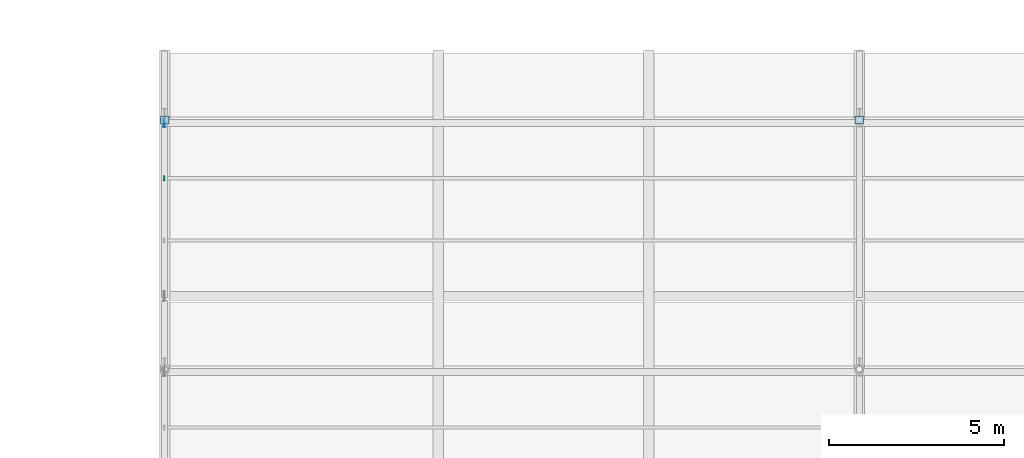
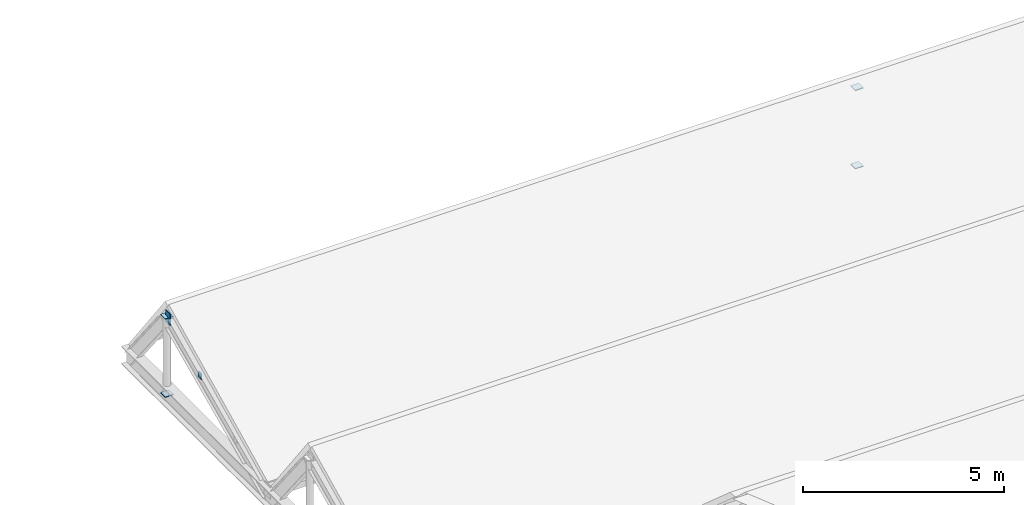
# One storey, part 110 of 138: 6 plates.
"""IFC4 building model written with IfcOpenShell, lengths in metres."""

import ifcopenshell
import ifcopenshell.guid

model = None  # the IFC model being written
_history = None  # IfcOwnerHistory: only IFC2X3 demands one
_inside = {}  # id of a spatial element -> (the spatial element, [elements in it])
_under = {}  # id of a project, library or spatial element -> (it, [spatial elements below it])
_declared = {}  # id of a project -> (the project, [libraries it declares])
_typed = {}  # id of a type object -> (the type object, [elements of that type])
_made_of = {}  # id of a material, layer set ... -> (it, [elements and type objects made of it])


def new_model(schema):
    """Start an empty IFC model of exactly this schema.

    Asked for "IFC4X3", IfcOpenShell would pick the latest addendum, in which some entities
    have other attributes; the version numbers below select the first issue.
    IFC2X3 requires an IfcOwnerHistory on every rooted entity: one is made here for all.
    """
    global model, _history
    if schema == "IFC4X3":
        model = ifcopenshell.file(schema_version=(4, 3, 0, 0))
    else:
        model = ifcopenshell.file(schema=schema)
    _inside.clear()
    _under.clear()
    _declared.clear()
    _typed.clear()
    _made_of.clear()
    _history = None
    if model.schema == "IFC2X3":
        org = make("IfcOrganization", Name="unknown")
        user = make(
            "IfcPersonAndOrganization",
            ThePerson=make("IfcPerson", FamilyName="unknown"),
            TheOrganization=org,
        )
        app = make(
            "IfcApplication",
            ApplicationDeveloper=org,
            Version="unknown",
            ApplicationFullName="unknown",
            ApplicationIdentifier="unknown",
        )
        _history = make(
            "IfcOwnerHistory",
            OwningUser=user,
            OwningApplication=app,
            ChangeAction="ADDED",
            CreationDate=0,
        )
    return model


def make(cls, **values):
    """One entity of the class cls with the attributes given. An attribute that is None is left unset."""
    return model.create_entity(
        cls, **{name: value for name, value in values.items() if value is not None}
    )


def rooted(cls, **values):
    """An entity with a GlobalId (a new one), such as an element, a storey or a relation."""
    return make(cls, GlobalId=ifcopenshell.guid.new(), OwnerHistory=_history, **values)


def si_unit(unit_type, name, prefix=None):
    """IfcSIUnit, for example si_unit("LENGTHUNIT", "METRE", prefix="MILLI")."""
    return make("IfcSIUnit", UnitType=unit_type, Prefix=prefix, Name=name)


def assignment(units):
    """IfcUnitAssignment: the units of a project."""
    return None if units is None else make("IfcUnitAssignment", Units=units)


def point(xyz):
    """IfcCartesianPoint."""
    return None if xyz is None else make("IfcCartesianPoint", Coordinates=xyz)


def direction(xyz):
    """IfcDirection."""
    return None if xyz is None else make("IfcDirection", DirectionRatios=xyz)


def frame(location, z_axis=None, x_axis=None):
    """IfcAxis2Placement3D, a coordinate frame: its origin and axes. An axis left out is left unset."""
    return make(
        "IfcAxis2Placement3D",
        Location=point(location),
        Axis=direction(z_axis),
        RefDirection=direction(x_axis),
    )


def frame_2d(location, x_axis=None):
    """IfcAxis2Placement2D, a coordinate frame in the plane: its origin and x axis."""
    return make(
        "IfcAxis2Placement2D", Location=point(location), RefDirection=direction(x_axis)
    )


def origin():
    """The frame at (0, 0, 0) with its axes left unset."""
    return frame((0.0, 0.0, 0.0))


def origin_2d():
    """The frame at (0, 0) in the plane with its x axis left unset."""
    return frame_2d((0.0, 0.0))


def place(relative_to, where):
    """IfcLocalPlacement: puts the frame where relative to a parent placement (None: the world)."""
    return make(
        "IfcLocalPlacement", PlacementRelTo=relative_to, RelativePlacement=where
    )


def context(
    kind, dimensions, precision=None, world=None, true_north=None, identifier=None
):
    """IfcGeometricRepresentationContext, for example the 3D "Model" context."""
    return make(
        "IfcGeometricRepresentationContext",
        ContextIdentifier=identifier,
        ContextType=kind,
        CoordinateSpaceDimension=dimensions,
        Precision=precision,
        WorldCoordinateSystem=world,
        TrueNorth=true_north,
    )


def subcontext(parent, identifier, kind, view, scale=None):
    """IfcGeometricRepresentationSubContext, for example "Body" below "Model"."""
    return make(
        "IfcGeometricRepresentationSubContext",
        ContextIdentifier=identifier,
        ContextType=kind,
        ParentContext=parent,
        TargetScale=scale,
        TargetView=view,
    )


def project(units=None, contexts=None):
    """IfcProject with its units and contexts."""
    return rooted(
        "IfcProject",
        Name="project",
        RepresentationContexts=contexts,
        UnitsInContext=assignment(units),
    )


def spatial(cls, under=None, at=None, **own):
    """A site, building, storey or space (cls), placed at a placement, below another one or the project."""
    s = rooted(cls, ObjectPlacement=at, **own)
    if under is not None:
        _under.setdefault(under.id(), (under, []))[1].append(s)
    return s


def profile(cls, at=None, kind="AREA", **sizes):
    """A parametric profile (cls). Its sizes go by their IFC names, for example OverallWidth=200.0."""
    return make(cls, ProfileType=kind, Position=at, **sizes)


def rectangle(**sizes):
    """IfcRectangleProfileDef."""
    return profile("IfcRectangleProfileDef", **sizes)


def extrude(swept, where, along, depth):
    """IfcExtrudedAreaSolid: the profile swept, set in the frame where, extruded along a direction by depth."""
    return make(
        "IfcExtrudedAreaSolid",
        SweptArea=swept,
        Position=where,
        ExtrudedDirection=direction(along),
        Depth=depth,
    )


def shape(context_of_items, identifier, shape_type, items):
    """IfcShapeRepresentation: the items that make up one representation, for example the "Body"."""
    return make(
        "IfcShapeRepresentation",
        ContextOfItems=context_of_items,
        RepresentationIdentifier=identifier,
        RepresentationType=shape_type,
        Items=items,
    )


def material(Name=None, Category=None):
    """IfcMaterial."""
    return make("IfcMaterial", Name=Name, Category=Category)


def material_profile(
    of_material, cross_section, Name=None, Category=None, Priority=None
):
    """IfcMaterialProfile: a cross section and its material."""
    return make(
        "IfcMaterialProfile",
        Name=Name,
        Material=of_material,
        Profile=cross_section,
        Priority=Priority,
        Category=Category,
    )


def profile_set(profiles, Name=None, composite=None):
    """IfcMaterialProfileSet."""
    return make(
        "IfcMaterialProfileSet",
        Name=Name,
        MaterialProfiles=profiles,
        CompositeProfile=composite,
    )


def made_of(thing, what):
    """Note that an element or type object is made of a material, layer set ...; save() writes the relation."""
    if what is not None:
        _made_of.setdefault(what.id(), (what, []))[1].append(thing)
    return thing


def type_object(cls, material=None, **own):
    """A type object (cls), such as IfcWallType, which elements share."""
    return made_of(rooted(cls, **own), material)


def element(
    cls,
    number,
    at=None,
    inside=None,
    cuts=None,
    type_object=None,
    material=None,
    context=None,
    identifier="Body",
    shape_type=None,
    held_by="IfcProductDefinitionShape",
    body=None,
    shapes=None,
    **own,
):
    """One element of the class cls, such as IfcWall. Its Tag is "e" and its number.

    at: its placement. inside: the storey or other place that contains it. cuts: it is an
    opening in that element (IfcRelVoidsElement). A single representation is given by context,
    identifier, shape_type and body (its items); several are given by shapes. held_by: the class
    of the entity that holds the representations. save() writes the other relations.
    """
    e = rooted(cls, Tag="e%d" % number, ObjectPlacement=at, **own)
    if body is not None:
        shapes = [shape(context, identifier, shape_type, body)]
    if shapes is not None:
        e.Representation = make(held_by, Representations=shapes)
    if inside is not None:
        _inside.setdefault(inside.id(), (inside, []))[1].append(e)
    if cuts is not None:
        rooted(
            "IfcRelVoidsElement", RelatingBuildingElement=cuts, RelatedOpeningElement=e
        )
    if type_object is not None:
        _typed.setdefault(type_object.id(), (type_object, []))[1].append(e)
    return made_of(e, material)


def aggregate(whole, parts):
    """IfcRelAggregates: a whole, such as a stair, and the parts it consists of."""
    return rooted("IfcRelAggregates", RelatingObject=whole, RelatedObjects=parts)


def save(model, path):
    """Write the relations noted so far, then the file.

    IfcRelAggregates (storeys below a building ...), IfcRelContainedInSpatialStructure (elements
    in a storey), IfcRelDefinesByType, IfcRelAssociatesMaterial and IfcRelDeclares: one each for
    every whole, place, type object, material and project.
    """
    for whole, parts in _under.values():
        aggregate(whole, parts)
    for where, things in _inside.values():
        rooted(
            "IfcRelContainedInSpatialStructure",
            RelatedElements=things,
            RelatingStructure=where,
        )
    for kind, things in _typed.values():
        rooted("IfcRelDefinesByType", RelatedObjects=things, RelatingType=kind)
    for what, things in _made_of.values():
        rooted("IfcRelAssociatesMaterial", RelatedObjects=things, RelatingMaterial=what)
    for by, libraries in _declared.values():
        rooted("IfcRelDeclares", RelatingContext=by, RelatedDefinitions=libraries)
    model.write(path)


model = new_model("IFC4")

# Units and contexts
model_context = context("Model", 3, precision=1e-05, world=origin(), true_north=direction((0.0, 1.0)))
body_context = subcontext(model_context, "Body", "Model", "MODEL_VIEW")
ifc_project = project(units=[si_unit("LENGTHUNIT", "METRE"), si_unit("AREAUNIT", "SQUARE_METRE"), si_unit("VOLUMEUNIT", "CUBIC_METRE"), si_unit("PLANEANGLEUNIT", "RADIAN"), si_unit("MASSUNIT", "GRAM", prefix="KILO")], contexts=[model_context])

# Site, building, storey
site_placement = place(None, origin())
site = spatial("IfcSite", under=ifc_project, at=site_placement, CompositionType="ELEMENT")
building_placement = place(site_placement, origin())
building = spatial("IfcBuilding", under=site, at=building_placement, Name="Vinh Khe Railworks Police Headquarters", CompositionType="ELEMENT")
storey_placement = place(building_placement, frame((0.0, 0.0, 9.0)))
storey = spatial("IfcBuildingStorey", under=building, at=storey_placement, Name="L02", CompositionType="ELEMENT", Elevation=9.0)

# Plates
ifc_material = material(Name="Steel S355JR", Category="steel")
ifc_material_profile_1 = material_profile(ifc_material, rectangle(XDim=0.139892578125, YDim=0.18994140625, at=origin_2d()), Name="PL 140x190")
ifc_profile_set_1 = profile_set([ifc_material_profile_1], Name="Steel S355JR")
plate_type_1 = type_object("IfcPlateType", Name="Steel End-Cap Plate 140x190x24", PredefinedType="SHEET", material=ifc_profile_set_1)
plate_1_placement = place(storey_placement, frame((26.39990234375, 162.735595703125, 1.761962890625), z_axis=(-1.0, 0.0, 0.0), x_axis=(0.0, -1.0, 0.0)))
element("IfcPlate", 1, at=plate_1_placement, inside=storey, type_object=plate_type_1, Name="End-Cap Gusset Plate PLT-EP-0274", PredefinedType="SHEET", context=body_context, shape_type="SweptSolid", body=[
    extrude(rectangle(XDim=0.139892578125, YDim=0.18994140625, at=origin_2d()), origin(), (0.0, 0.0, 1.0), 0.02392578125),
])
ifc_material_profile_2 = material_profile(ifc_material, rectangle(XDim=0.23388671875, YDim=0.23388671875, at=origin_2d()), Name="PL 234x234")
ifc_profile_set_2 = profile_set([ifc_material_profile_2], Name="Steel S355JR")
plate_type_2 = type_object("IfcPlateType", Name="Steel End-Cap Plate 234x234x24", PredefinedType="SHEET", material=ifc_profile_set_2)
for number, where, z_axis, x_axis, name in (
    (2, (26.39990234375, 164.39990234375, 0.199951171875), (0.0, 0.0, -1.0), (1.0, 0.0, 0.0), "End-Cap Gusset Plate PLT-EP-0276"),
    (3, (26.39990234375, 164.39990234375, 2.550048828125), (0.0, 0.0, 1.0), (1.0, 0.0, 0.0), "End-Cap Gusset Plate PLT-EP-0277"),
    (4, (46.199951171875, 164.39990234375, 0.199951171875), (0.0, 0.0, -1.0), (1.0, 0.0, 0.0), "End-Cap Gusset Plate PLT-EP-0464"),
    (5, (46.199951171875, 164.39990234375, 2.550048828125), (0.0, 0.0, 1.0), (1.0, 0.0, 0.0), "End-Cap Gusset Plate PLT-EP-0465"),
):
    element("IfcPlate", number, at=place(storey_placement, frame(where, z_axis=z_axis, x_axis=x_axis)), inside=storey, type_object=plate_type_2, Name=name, PredefinedType="SHEET", context=body_context, shape_type="SweptSolid", body=[
        extrude(rectangle(XDim=0.23388671875, YDim=0.23388671875, at=origin_2d()), origin(), (0.0, 0.0, 1.0), 0.02392578125),
    ])
ifc_material_profile_3 = material_profile(ifc_material, rectangle(XDim=0.239990234375, YDim=0.340087890625, at=origin_2d()), Name="PL 240x340")
ifc_profile_set_3 = profile_set([ifc_material_profile_3], Name="Steel S355JR")
plate_type_3 = type_object("IfcPlateType", Name="Steel End-Cap Plate 240x340x24", PredefinedType="SHEET", material=ifc_profile_set_3)
plate_2_placement = place(storey_placement, frame((26.39990234375, 164.320068359375, 2.550048828125), z_axis=(-1.0, 0.0, 0.0), x_axis=(0.0, -1.0, 0.0)))
element("IfcPlate", 6, at=plate_2_placement, inside=storey, type_object=plate_type_3, Name="End-Cap Gusset Plate PLT-EP-0275", PredefinedType="SHEET", context=body_context, shape_type="SweptSolid", body=[
    extrude(rectangle(XDim=0.239990234375, YDim=0.340087890625, at=origin_2d()), origin(), (0.0, 0.0, 1.0), 0.02392578125),
])

save(model, "model.ifc")
